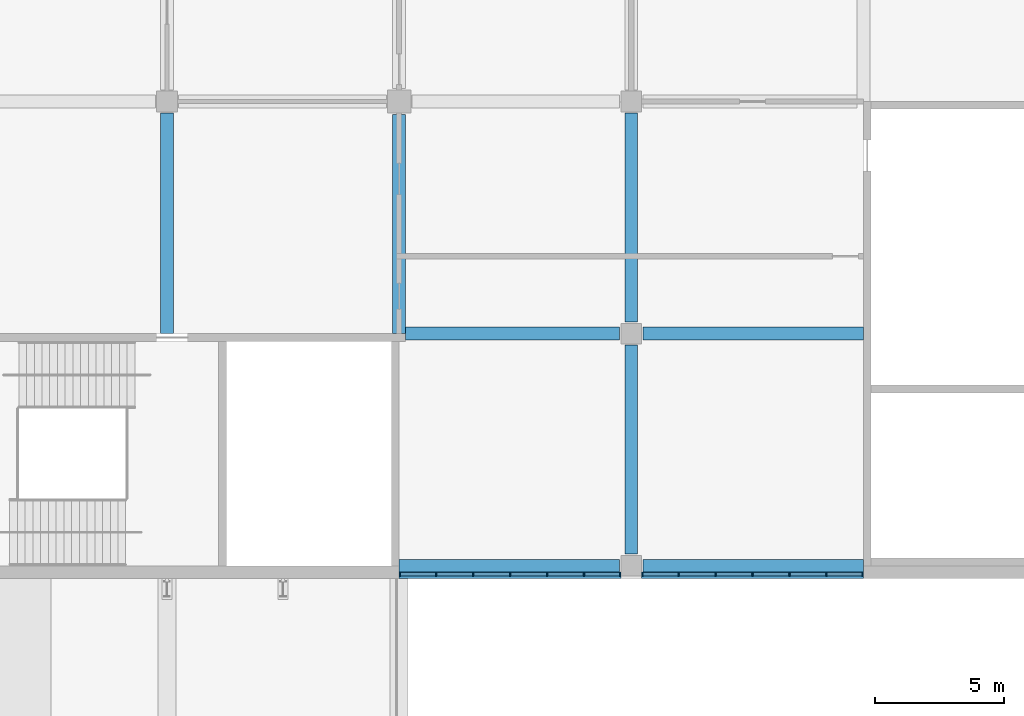
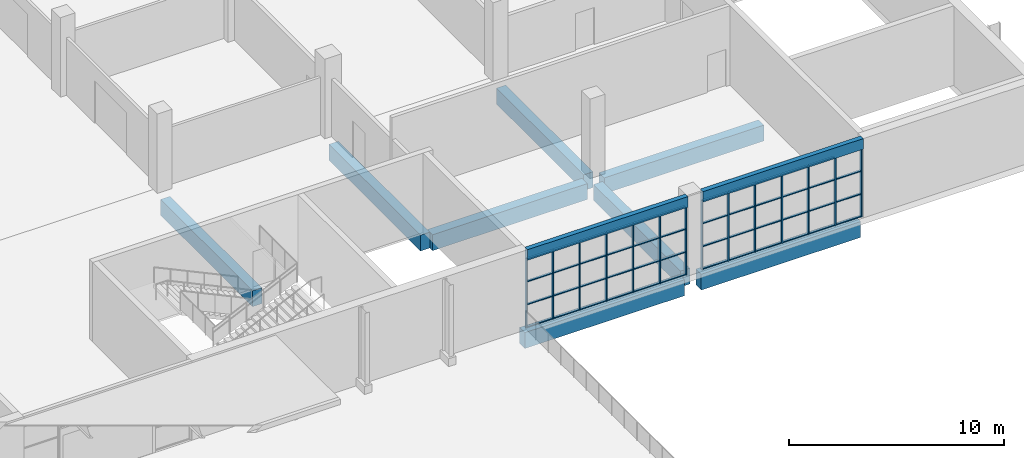
# One storey, part 49 of 168: 61 members, 10 beams, 2 elements without a shape of their own.
"""IFC4 building model written with IfcOpenShell, lengths in metres."""

from ifc_helpers import new_model, si_unit, direction, frame, origin, origin_2d, place, context, subcontext, project, spatial, rectangle, extrude, material, material_profile, profile_set, type_object, element, aggregate, save


model = new_model("IFC4")

# Units and contexts
model_context = context("Model", 3, precision=1e-05, world=origin(), true_north=direction((0.0, 1.0)))
body_context = subcontext(model_context, "Body", "Model", "MODEL_VIEW")
ifc_project = project(units=[si_unit("LENGTHUNIT", "METRE"), si_unit("AREAUNIT", "SQUARE_METRE"), si_unit("VOLUMEUNIT", "CUBIC_METRE"), si_unit("PLANEANGLEUNIT", "RADIAN"), si_unit("MASSUNIT", "GRAM", prefix="KILO")], contexts=[model_context])

# Site, building, storey
site_placement = place(None, origin())
site = spatial("IfcSite", under=ifc_project, at=site_placement, CompositionType="ELEMENT")
building_placement = place(site_placement, origin())
building = spatial("IfcBuilding", under=site, at=building_placement, Name="Silverbay Arena", CompositionType="ELEMENT")
storey_placement = place(building_placement, frame((0.0, 0.0, 7.0)))
storey = spatial("IfcBuildingStorey", under=building, at=storey_placement, Name="L01", CompositionType="ELEMENT", Elevation=7.0)

# Curtain wall, members
ifc_material_1 = material(Name="Aluminium framed curtain wall", Category="aluminium")
curtain_wall_type = type_object("IfcCurtainWallType", Name="Curtain wall 8600 x 3900", PredefinedType="NOTDEFINED", material=ifc_material_1)
curtain_wall_1_placement = place(storey_placement, origin())
curtain_wall_1 = element("IfcCurtainWall", 1, at=curtain_wall_1_placement, inside=storey, type_object=curtain_wall_type, Name="South curtain wall L01 bay 21", PredefinedType="NOTDEFINED")
ifc_material_2 = material(Name="Aluminium", Category="aluminium")
ifc_material_profile_1 = material_profile(ifc_material_2, rectangle(XDim=0.159912109375, YDim=0.06005859375, at=origin_2d()), Name="Mullion 60 x 160")
ifc_profile_set_1 = profile_set([ifc_material_profile_1], Name="Aluminium")
member_type_1 = type_object("IfcMemberType", Name="Mullion 60 x 160", PredefinedType="MULLION", material=ifc_profile_set_1)
member_1_placement = place(storey_placement, frame((207.030029296875, 17.669921875, 0.0), z_axis=(0.0, 0.0, 1.0), x_axis=(0.0, 1.0, 0.0)))
member_1 = element("IfcMember", 2, at=member_1_placement, type_object=member_type_1, Name="CW1 mullion 1", PredefinedType="MULLION", context=body_context, shape_type="SweptSolid", body=[
    extrude(rectangle(XDim=0.159912109375, YDim=0.06005859375, at=origin_2d()), origin(), (0.0, 0.0, 1.0), 3.89990234375),
])
member_2_placement = place(storey_placement, frame((208.433349609375, 17.669921875, 0.0), z_axis=(0.0, 0.0, 1.0), x_axis=(0.0, 1.0, 0.0)))
member_2 = element("IfcMember", 3, at=member_2_placement, type_object=member_type_1, Name="CW1 mullion 2", PredefinedType="MULLION", context=body_context, shape_type="SweptSolid", body=[
    extrude(rectangle(XDim=0.159912109375, YDim=0.06005859375, at=origin_2d()), origin(), (0.0, 0.0, 1.0), 3.89990234375),
])
member_3_placement = place(storey_placement, frame((209.86669921875, 17.669921875, 0.0), z_axis=(0.0, 0.0, 1.0), x_axis=(0.0, 1.0, 0.0)))
member_3 = element("IfcMember", 4, at=member_3_placement, type_object=member_type_1, Name="CW1 mullion 3", PredefinedType="MULLION", context=body_context, shape_type="SweptSolid", body=[
    extrude(rectangle(XDim=0.159912109375, YDim=0.06005859375, at=origin_2d()), origin(), (0.0, 0.0, 1.0), 3.89990234375),
])
member_4_placement = place(storey_placement, frame((211.300048828125, 17.669921875, 0.0), z_axis=(0.0, 0.0, 1.0), x_axis=(0.0, 1.0, 0.0)))
member_4 = element("IfcMember", 5, at=member_4_placement, type_object=member_type_1, Name="CW1 mullion 4", PredefinedType="MULLION", context=body_context, shape_type="SweptSolid", body=[
    extrude(rectangle(XDim=0.159912109375, YDim=0.06005859375, at=origin_2d()), origin(), (0.0, 0.0, 1.0), 3.89990234375),
])
member_5_placement = place(storey_placement, frame((212.7333984375, 17.669921875, 0.0), z_axis=(0.0, 0.0, 1.0), x_axis=(0.0, 1.0, 0.0)))
member_5 = element("IfcMember", 6, at=member_5_placement, type_object=member_type_1, Name="CW1 mullion 5", PredefinedType="MULLION", context=body_context, shape_type="SweptSolid", body=[
    extrude(rectangle(XDim=0.159912109375, YDim=0.06005859375, at=origin_2d()), origin(), (0.0, 0.0, 1.0), 3.89990234375),
])
member_6_placement = place(storey_placement, frame((214.166748046875, 17.669921875, 0.0), z_axis=(0.0, 0.0, 1.0), x_axis=(0.0, 1.0, 0.0)))
member_6 = element("IfcMember", 7, at=member_6_placement, type_object=member_type_1, Name="CW1 mullion 6", PredefinedType="MULLION", context=body_context, shape_type="SweptSolid", body=[
    extrude(rectangle(XDim=0.159912109375, YDim=0.06005859375, at=origin_2d()), origin(), (0.0, 0.0, 1.0), 3.89990234375),
])
member_7_placement = place(storey_placement, frame((215.570068359375, 17.669921875, 0.0), z_axis=(0.0, 0.0, 1.0), x_axis=(0.0, 1.0, 0.0)))
member_7 = element("IfcMember", 8, at=member_7_placement, type_object=member_type_1, Name="CW1 mullion 7", PredefinedType="MULLION", context=body_context, shape_type="SweptSolid", body=[
    extrude(rectangle(XDim=0.159912109375, YDim=0.06005859375, at=origin_2d()), origin(), (0.0, 0.0, 1.0), 3.89990234375),
])

curtain_wall_2_placement = place(storey_placement, origin())
curtain_wall_2 = element("IfcCurtainWall", 9, at=curtain_wall_2_placement, inside=storey, type_object=curtain_wall_type, Name="South curtain wall L01 bay 22", PredefinedType="NOTDEFINED")
member_8_placement = place(storey_placement, frame((216.429931640625, 17.669921875, 0.0), z_axis=(0.0, 0.0, 1.0), x_axis=(0.0, 1.0, 0.0)))
member_8 = element("IfcMember", 10, at=member_8_placement, type_object=member_type_1, Name="CW1 mullion 1", PredefinedType="MULLION", context=body_context, shape_type="SweptSolid", body=[
    extrude(rectangle(XDim=0.159912109375, YDim=0.06005859375, at=origin_2d()), origin(), (0.0, 0.0, 1.0), 3.89990234375),
])
member_9_placement = place(storey_placement, frame((217.833251953125, 17.669921875, 0.0), z_axis=(0.0, 0.0, 1.0), x_axis=(0.0, 1.0, 0.0)))
member_9 = element("IfcMember", 11, at=member_9_placement, type_object=member_type_1, Name="CW1 mullion 2", PredefinedType="MULLION", context=body_context, shape_type="SweptSolid", body=[
    extrude(rectangle(XDim=0.159912109375, YDim=0.06005859375, at=origin_2d()), origin(), (0.0, 0.0, 1.0), 3.89990234375),
])
member_10_placement = place(storey_placement, frame((219.2666015625, 17.669921875, 0.0), z_axis=(0.0, 0.0, 1.0), x_axis=(0.0, 1.0, 0.0)))
member_10 = element("IfcMember", 12, at=member_10_placement, type_object=member_type_1, Name="CW1 mullion 3", PredefinedType="MULLION", context=body_context, shape_type="SweptSolid", body=[
    extrude(rectangle(XDim=0.159912109375, YDim=0.06005859375, at=origin_2d()), origin(), (0.0, 0.0, 1.0), 3.89990234375),
])
member_11_placement = place(storey_placement, frame((220.699951171875, 17.669921875, 0.0), z_axis=(0.0, 0.0, 1.0), x_axis=(0.0, 1.0, 0.0)))
member_11 = element("IfcMember", 13, at=member_11_placement, type_object=member_type_1, Name="CW1 mullion 4", PredefinedType="MULLION", context=body_context, shape_type="SweptSolid", body=[
    extrude(rectangle(XDim=0.159912109375, YDim=0.06005859375, at=origin_2d()), origin(), (0.0, 0.0, 1.0), 3.89990234375),
])
member_12_placement = place(storey_placement, frame((222.13330078125, 17.669921875, 0.0), z_axis=(0.0, 0.0, 1.0), x_axis=(0.0, 1.0, 0.0)))
member_12 = element("IfcMember", 14, at=member_12_placement, type_object=member_type_1, Name="CW1 mullion 5", PredefinedType="MULLION", context=body_context, shape_type="SweptSolid", body=[
    extrude(rectangle(XDim=0.159912109375, YDim=0.06005859375, at=origin_2d()), origin(), (0.0, 0.0, 1.0), 3.89990234375),
])
member_13_placement = place(storey_placement, frame((223.566650390625, 17.669921875, 0.0), z_axis=(0.0, 0.0, 1.0), x_axis=(0.0, 1.0, 0.0)))
member_13 = element("IfcMember", 15, at=member_13_placement, type_object=member_type_1, Name="CW1 mullion 6", PredefinedType="MULLION", context=body_context, shape_type="SweptSolid", body=[
    extrude(rectangle(XDim=0.159912109375, YDim=0.06005859375, at=origin_2d()), origin(), (0.0, 0.0, 1.0), 3.89990234375),
])
member_14_placement = place(storey_placement, frame((224.969970703125, 17.669921875, 0.0), z_axis=(0.0, 0.0, 1.0), x_axis=(0.0, 1.0, 0.0)))
member_14 = element("IfcMember", 16, at=member_14_placement, type_object=member_type_1, Name="CW1 mullion 7", PredefinedType="MULLION", context=body_context, shape_type="SweptSolid", body=[
    extrude(rectangle(XDim=0.159912109375, YDim=0.06005859375, at=origin_2d()), origin(), (0.0, 0.0, 1.0), 3.89990234375),
])

# Beams
ifc_material_3 = material(Name="Concrete Grade C45", Category="concrete")
ifc_material_profile_2 = material_profile(ifc_material_3, rectangle(XDim=0.5, YDim=0.89990234375, at=origin_2d()), Name="RC 500x900")
ifc_profile_set_2 = profile_set([ifc_material_profile_2], Name="Concrete Grade C45")
beam_type_1 = type_object("IfcBeamType", Name="RC beam 500x900", PredefinedType="BEAM", material=ifc_profile_set_2)
for number, where, z_axis, x_axis, name in (
    (17, (207.0, 18.0, -0.800048828125), (1.0, 0.0, 0.0), (0.0, 1.0, 0.0), "Floor beam L01 008"),
    (18, (216.449951171875, 18.0, -0.800048828125), (1.0, 0.0, 0.0), (0.0, 1.0, 0.0), "Floor beam L01 009"),
):
    element("IfcBeam", number, at=place(storey_placement, frame(where, z_axis=z_axis, x_axis=x_axis)), inside=storey, type_object=beam_type_1, Name=name, PredefinedType="BEAM", context=body_context, shape_type="SweptSolid", body=[
        extrude(rectangle(XDim=0.5, YDim=0.89990234375, at=origin_2d()), origin(), (0.0, 0.0, 1.0), 8.550048828125),
    ])
beam_1_placement = place(storey_placement, frame((207.25, 27.0, -0.800048828125), z_axis=(1.0, 0.0, 0.0), x_axis=(0.0, 1.0, 0.0)))
element("IfcBeam", 19, at=beam_1_placement, inside=storey, type_object=beam_type_1, Name="Floor beam L01 017", PredefinedType="BEAM", context=body_context, shape_type="SweptSolid", body=[
    extrude(rectangle(XDim=0.5, YDim=0.89990234375, at=origin_2d()), origin(), (0.0, 0.0, 1.0), 8.300048828125),
])
for number, where, z_axis, x_axis, name in (
    (20, (216.449951171875, 27.0, -0.800048828125), (1.0, 0.0, 0.0), (0.0, 1.0, 0.0), "Floor beam L01 018"),
    (21, (198.0, 27.0, -0.800048828125), (0.0, 1.0, 0.0), (-1.0, 0.0, 0.0), "Floor beam L01 315"),
):
    element("IfcBeam", number, at=place(storey_placement, frame(where, z_axis=z_axis, x_axis=x_axis)), inside=storey, type_object=beam_type_1, Name=name, PredefinedType="BEAM", context=body_context, shape_type="SweptSolid", body=[
        extrude(rectangle(XDim=0.5, YDim=0.89990234375, at=origin_2d()), origin(), (0.0, 0.0, 1.0), 8.550048828125),
    ])
beam_2_placement = place(storey_placement, frame((207.0, 27.0, -0.800048828125), z_axis=(0.0, 1.0, 0.0), x_axis=(-1.0, 0.0, 0.0)))
element("IfcBeam", 22, at=beam_2_placement, inside=storey, type_object=beam_type_1, Name="Floor beam L01 323", PredefinedType="BEAM", context=body_context, shape_type="SweptSolid", body=[
    extrude(rectangle(XDim=0.5, YDim=0.89990234375, at=origin_2d()), origin(), (0.0, 0.0, 1.0), 8.5),
])
for number, where, z_axis, x_axis, name in (
    (23, (216.0, 18.449951171875, -0.800048828125), (0.0, 1.0, 0.0), (-1.0, 0.0, 0.0), "Floor beam L01 331"),
    (24, (216.0, 27.449951171875, -0.800048828125), (0.0, 1.0, 0.0), (-1.0, 0.0, 0.0), "Floor beam L01 332"),
):
    element("IfcBeam", number, at=place(storey_placement, frame(where, z_axis=z_axis, x_axis=x_axis)), inside=storey, type_object=beam_type_1, Name=name, PredefinedType="BEAM", context=body_context, shape_type="SweptSolid", body=[
        extrude(rectangle(XDim=0.5, YDim=0.89990234375, at=origin_2d()), origin(), (0.0, 0.0, 1.0), 8.10009765625),
    ])
ifc_material_4 = material(Name="Concrete Grade C45", Category="concrete")
ifc_material_profile_3 = material_profile(ifc_material_4, rectangle(XDim=0.25, YDim=0.60009765625, at=origin_2d()), Name="RC 250x600")
ifc_profile_set_3 = profile_set([ifc_material_profile_3], Name="Concrete Grade C45")
beam_type_2 = type_object("IfcBeamType", Name="RC facade beam 250x600", PredefinedType="SPANDREL", material=ifc_profile_set_3)
for number, where, z_axis, x_axis, name in (
    (25, (207.0, 17.625, 4.199951171875), (1.0, 0.0, 0.0), (0.0, 1.0, 0.0), "Facade beam L01 south"),
    (26, (216.39990234375, 17.625, 4.199951171875), (1.0, 0.0, 0.0), (0.0, 1.0, 0.0), "Facade beam L01 south"),
):
    element("IfcBeam", number, at=place(storey_placement, frame(where, z_axis=z_axis, x_axis=x_axis)), inside=storey, type_object=beam_type_2, Name=name, PredefinedType="SPANDREL", context=body_context, shape_type="SweptSolid", body=[
        extrude(rectangle(XDim=0.25, YDim=0.60009765625, at=origin_2d()), origin(), (0.0, 0.0, 1.0), 8.60009765625),
    ])

# Member
ifc_material_5 = material(Name="Aluminium", Category="aluminium")
ifc_material_profile_4 = material_profile(ifc_material_5, rectangle(XDim=0.1201171875, YDim=0.050048828125, at=origin_2d()), Name="Transom 50 x 120")
ifc_profile_set_4 = profile_set([ifc_material_profile_4], Name="Aluminium")
member_type_2 = type_object("IfcMemberType", Name="Transom 50 x 120", PredefinedType="USERDEFINED", material=ifc_profile_set_4)
member_15_placement = place(storey_placement, frame((207.06005859375, 17.669921875, 0.02490234375), z_axis=(1.0, 0.0, 0.0), x_axis=(0.0, 1.0, 0.0)))
member_15 = element("IfcMember", 27, at=member_15_placement, type_object=member_type_2, Name="CW1 transom 1.1", ObjectType="TRANSOM", PredefinedType="USERDEFINED", context=body_context, shape_type="SweptSolid", body=[
    extrude(rectangle(XDim=0.1201171875, YDim=0.050048828125, at=origin_2d()), origin(), (0.0, 0.0, 1.0), 1.34326171875),
])

member_16_placement = place(storey_placement, frame((207.06005859375, 17.669921875, 1.300048828125), z_axis=(1.0, 0.0, 0.0), x_axis=(0.0, 1.0, 0.0)))
member_16 = element("IfcMember", 28, at=member_16_placement, type_object=member_type_2, Name="CW1 transom 1.2", ObjectType="TRANSOM", PredefinedType="USERDEFINED", context=body_context, shape_type="SweptSolid", body=[
    extrude(rectangle(XDim=0.1201171875, YDim=0.050048828125, at=origin_2d()), origin(), (0.0, 0.0, 1.0), 1.34326171875),
])

member_17_placement = place(storey_placement, frame((207.06005859375, 17.669921875, 2.60009765625), z_axis=(1.0, 0.0, 0.0), x_axis=(0.0, 1.0, 0.0)))
member_17 = element("IfcMember", 29, at=member_17_placement, type_object=member_type_2, Name="CW1 transom 1.3", ObjectType="TRANSOM", PredefinedType="USERDEFINED", context=body_context, shape_type="SweptSolid", body=[
    extrude(rectangle(XDim=0.1201171875, YDim=0.050048828125, at=origin_2d()), origin(), (0.0, 0.0, 1.0), 1.34326171875),
])

member_18_placement = place(storey_placement, frame((207.06005859375, 17.669921875, 3.875), z_axis=(1.0, 0.0, 0.0), x_axis=(0.0, 1.0, 0.0)))
member_18 = element("IfcMember", 30, at=member_18_placement, type_object=member_type_2, Name="CW1 transom 1.4", ObjectType="TRANSOM", PredefinedType="USERDEFINED", context=body_context, shape_type="SweptSolid", body=[
    extrude(rectangle(XDim=0.1201171875, YDim=0.050048828125, at=origin_2d()), origin(), (0.0, 0.0, 1.0), 1.34326171875),
])

member_19_placement = place(storey_placement, frame((208.46337890625, 17.669921875, 0.02490234375), z_axis=(1.0, 0.0, 0.0), x_axis=(0.0, 1.0, 0.0)))
member_19 = element("IfcMember", 31, at=member_19_placement, type_object=member_type_2, Name="CW1 transom 2.1", ObjectType="TRANSOM", PredefinedType="USERDEFINED", context=body_context, shape_type="SweptSolid", body=[
    extrude(rectangle(XDim=0.1201171875, YDim=0.050048828125, at=origin_2d()), origin(), (0.0, 0.0, 1.0), 1.373291015625),
])

member_20_placement = place(storey_placement, frame((208.46337890625, 17.669921875, 1.300048828125), z_axis=(1.0, 0.0, 0.0), x_axis=(0.0, 1.0, 0.0)))
member_20 = element("IfcMember", 32, at=member_20_placement, type_object=member_type_2, Name="CW1 transom 2.2", ObjectType="TRANSOM", PredefinedType="USERDEFINED", context=body_context, shape_type="SweptSolid", body=[
    extrude(rectangle(XDim=0.1201171875, YDim=0.050048828125, at=origin_2d()), origin(), (0.0, 0.0, 1.0), 1.373291015625),
])

member_21_placement = place(storey_placement, frame((208.46337890625, 17.669921875, 2.60009765625), z_axis=(1.0, 0.0, 0.0), x_axis=(0.0, 1.0, 0.0)))
member_21 = element("IfcMember", 33, at=member_21_placement, type_object=member_type_2, Name="CW1 transom 2.3", ObjectType="TRANSOM", PredefinedType="USERDEFINED", context=body_context, shape_type="SweptSolid", body=[
    extrude(rectangle(XDim=0.1201171875, YDim=0.050048828125, at=origin_2d()), origin(), (0.0, 0.0, 1.0), 1.373291015625),
])

member_22_placement = place(storey_placement, frame((208.46337890625, 17.669921875, 3.875), z_axis=(1.0, 0.0, 0.0), x_axis=(0.0, 1.0, 0.0)))
member_22 = element("IfcMember", 34, at=member_22_placement, type_object=member_type_2, Name="CW1 transom 2.4", ObjectType="TRANSOM", PredefinedType="USERDEFINED", context=body_context, shape_type="SweptSolid", body=[
    extrude(rectangle(XDim=0.1201171875, YDim=0.050048828125, at=origin_2d()), origin(), (0.0, 0.0, 1.0), 1.373291015625),
])

member_23_placement = place(storey_placement, frame((209.896728515625, 17.669921875, 0.02490234375), z_axis=(1.0, 0.0, 0.0), x_axis=(0.0, 1.0, 0.0)))
member_23 = element("IfcMember", 35, at=member_23_placement, type_object=member_type_2, Name="CW1 transom 3.1", ObjectType="TRANSOM", PredefinedType="USERDEFINED", context=body_context, shape_type="SweptSolid", body=[
    extrude(rectangle(XDim=0.1201171875, YDim=0.050048828125, at=origin_2d()), origin(), (0.0, 0.0, 1.0), 1.373291015625),
])

member_24_placement = place(storey_placement, frame((209.896728515625, 17.669921875, 1.300048828125), z_axis=(1.0, 0.0, 0.0), x_axis=(0.0, 1.0, 0.0)))
member_24 = element("IfcMember", 36, at=member_24_placement, type_object=member_type_2, Name="CW1 transom 3.2", ObjectType="TRANSOM", PredefinedType="USERDEFINED", context=body_context, shape_type="SweptSolid", body=[
    extrude(rectangle(XDim=0.1201171875, YDim=0.050048828125, at=origin_2d()), origin(), (0.0, 0.0, 1.0), 1.373291015625),
])

member_25_placement = place(storey_placement, frame((209.896728515625, 17.669921875, 2.60009765625), z_axis=(1.0, 0.0, 0.0), x_axis=(0.0, 1.0, 0.0)))
member_25 = element("IfcMember", 37, at=member_25_placement, type_object=member_type_2, Name="CW1 transom 3.3", ObjectType="TRANSOM", PredefinedType="USERDEFINED", context=body_context, shape_type="SweptSolid", body=[
    extrude(rectangle(XDim=0.1201171875, YDim=0.050048828125, at=origin_2d()), origin(), (0.0, 0.0, 1.0), 1.373291015625),
])

member_26_placement = place(storey_placement, frame((209.896728515625, 17.669921875, 3.875), z_axis=(1.0, 0.0, 0.0), x_axis=(0.0, 1.0, 0.0)))
member_26 = element("IfcMember", 38, at=member_26_placement, type_object=member_type_2, Name="CW1 transom 3.4", ObjectType="TRANSOM", PredefinedType="USERDEFINED", context=body_context, shape_type="SweptSolid", body=[
    extrude(rectangle(XDim=0.1201171875, YDim=0.050048828125, at=origin_2d()), origin(), (0.0, 0.0, 1.0), 1.373291015625),
])

member_27_placement = place(storey_placement, frame((211.330078125, 17.669921875, 0.02490234375), z_axis=(1.0, 0.0, 0.0), x_axis=(0.0, 1.0, 0.0)))
member_27 = element("IfcMember", 39, at=member_27_placement, type_object=member_type_2, Name="CW1 transom 4.1", ObjectType="TRANSOM", PredefinedType="USERDEFINED", context=body_context, shape_type="SweptSolid", body=[
    extrude(rectangle(XDim=0.1201171875, YDim=0.050048828125, at=origin_2d()), origin(), (0.0, 0.0, 1.0), 1.373291015625),
])

member_28_placement = place(storey_placement, frame((211.330078125, 17.669921875, 1.300048828125), z_axis=(1.0, 0.0, 0.0), x_axis=(0.0, 1.0, 0.0)))
member_28 = element("IfcMember", 40, at=member_28_placement, type_object=member_type_2, Name="CW1 transom 4.2", ObjectType="TRANSOM", PredefinedType="USERDEFINED", context=body_context, shape_type="SweptSolid", body=[
    extrude(rectangle(XDim=0.1201171875, YDim=0.050048828125, at=origin_2d()), origin(), (0.0, 0.0, 1.0), 1.373291015625),
])

member_29_placement = place(storey_placement, frame((211.330078125, 17.669921875, 2.60009765625), z_axis=(1.0, 0.0, 0.0), x_axis=(0.0, 1.0, 0.0)))
member_29 = element("IfcMember", 41, at=member_29_placement, type_object=member_type_2, Name="CW1 transom 4.3", ObjectType="TRANSOM", PredefinedType="USERDEFINED", context=body_context, shape_type="SweptSolid", body=[
    extrude(rectangle(XDim=0.1201171875, YDim=0.050048828125, at=origin_2d()), origin(), (0.0, 0.0, 1.0), 1.373291015625),
])

member_30_placement = place(storey_placement, frame((211.330078125, 17.669921875, 3.875), z_axis=(1.0, 0.0, 0.0), x_axis=(0.0, 1.0, 0.0)))
member_30 = element("IfcMember", 42, at=member_30_placement, type_object=member_type_2, Name="CW1 transom 4.4", ObjectType="TRANSOM", PredefinedType="USERDEFINED", context=body_context, shape_type="SweptSolid", body=[
    extrude(rectangle(XDim=0.1201171875, YDim=0.050048828125, at=origin_2d()), origin(), (0.0, 0.0, 1.0), 1.373291015625),
])

member_31_placement = place(storey_placement, frame((212.763427734375, 17.669921875, 0.02490234375), z_axis=(1.0, 0.0, 0.0), x_axis=(0.0, 1.0, 0.0)))
member_31 = element("IfcMember", 43, at=member_31_placement, type_object=member_type_2, Name="CW1 transom 5.1", ObjectType="TRANSOM", PredefinedType="USERDEFINED", context=body_context, shape_type="SweptSolid", body=[
    extrude(rectangle(XDim=0.1201171875, YDim=0.050048828125, at=origin_2d()), origin(), (0.0, 0.0, 1.0), 1.373291015625),
])

member_32_placement = place(storey_placement, frame((212.763427734375, 17.669921875, 1.300048828125), z_axis=(1.0, 0.0, 0.0), x_axis=(0.0, 1.0, 0.0)))
member_32 = element("IfcMember", 44, at=member_32_placement, type_object=member_type_2, Name="CW1 transom 5.2", ObjectType="TRANSOM", PredefinedType="USERDEFINED", context=body_context, shape_type="SweptSolid", body=[
    extrude(rectangle(XDim=0.1201171875, YDim=0.050048828125, at=origin_2d()), origin(), (0.0, 0.0, 1.0), 1.373291015625),
])

member_33_placement = place(storey_placement, frame((212.763427734375, 17.669921875, 2.60009765625), z_axis=(1.0, 0.0, 0.0), x_axis=(0.0, 1.0, 0.0)))
member_33 = element("IfcMember", 45, at=member_33_placement, type_object=member_type_2, Name="CW1 transom 5.3", ObjectType="TRANSOM", PredefinedType="USERDEFINED", context=body_context, shape_type="SweptSolid", body=[
    extrude(rectangle(XDim=0.1201171875, YDim=0.050048828125, at=origin_2d()), origin(), (0.0, 0.0, 1.0), 1.373291015625),
])

member_34_placement = place(storey_placement, frame((212.763427734375, 17.669921875, 3.875), z_axis=(1.0, 0.0, 0.0), x_axis=(0.0, 1.0, 0.0)))
member_34 = element("IfcMember", 46, at=member_34_placement, type_object=member_type_2, Name="CW1 transom 5.4", ObjectType="TRANSOM", PredefinedType="USERDEFINED", context=body_context, shape_type="SweptSolid", body=[
    extrude(rectangle(XDim=0.1201171875, YDim=0.050048828125, at=origin_2d()), origin(), (0.0, 0.0, 1.0), 1.373291015625),
])

member_35_placement = place(storey_placement, frame((214.19677734375, 17.669921875, 0.02490234375), z_axis=(1.0, 0.0, 0.0), x_axis=(0.0, 1.0, 0.0)))
member_35 = element("IfcMember", 47, at=member_35_placement, type_object=member_type_2, Name="CW1 transom 6.1", ObjectType="TRANSOM", PredefinedType="USERDEFINED", context=body_context, shape_type="SweptSolid", body=[
    extrude(rectangle(XDim=0.1201171875, YDim=0.050048828125, at=origin_2d()), origin(), (0.0, 0.0, 1.0), 1.34326171875),
])

member_36_placement = place(storey_placement, frame((214.19677734375, 17.669921875, 1.300048828125), z_axis=(1.0, 0.0, 0.0), x_axis=(0.0, 1.0, 0.0)))
member_36 = element("IfcMember", 48, at=member_36_placement, type_object=member_type_2, Name="CW1 transom 6.2", ObjectType="TRANSOM", PredefinedType="USERDEFINED", context=body_context, shape_type="SweptSolid", body=[
    extrude(rectangle(XDim=0.1201171875, YDim=0.050048828125, at=origin_2d()), origin(), (0.0, 0.0, 1.0), 1.34326171875),
])

member_37_placement = place(storey_placement, frame((214.19677734375, 17.669921875, 2.60009765625), z_axis=(1.0, 0.0, 0.0), x_axis=(0.0, 1.0, 0.0)))
member_37 = element("IfcMember", 49, at=member_37_placement, type_object=member_type_2, Name="CW1 transom 6.3", ObjectType="TRANSOM", PredefinedType="USERDEFINED", context=body_context, shape_type="SweptSolid", body=[
    extrude(rectangle(XDim=0.1201171875, YDim=0.050048828125, at=origin_2d()), origin(), (0.0, 0.0, 1.0), 1.34326171875),
])

member_38_placement = place(storey_placement, frame((214.19677734375, 17.669921875, 3.875), z_axis=(1.0, 0.0, 0.0), x_axis=(0.0, 1.0, 0.0)))
member_38 = element("IfcMember", 50, at=member_38_placement, type_object=member_type_2, Name="CW1 transom 6.4", ObjectType="TRANSOM", PredefinedType="USERDEFINED", context=body_context, shape_type="SweptSolid", body=[
    extrude(rectangle(XDim=0.1201171875, YDim=0.050048828125, at=origin_2d()), origin(), (0.0, 0.0, 1.0), 1.34326171875),
])

aggregate(curtain_wall_1, [member_1, member_2, member_3, member_4, member_5, member_6, member_7, member_15, member_16, member_17, member_18, member_19, member_20, member_21, member_22, member_23, member_24, member_25, member_26, member_27, member_28, member_29, member_30, member_31, member_32, member_33, member_34, member_35, member_36, member_37, member_38])

member_39_placement = place(storey_placement, frame((216.4599609375, 17.669921875, 0.02490234375), z_axis=(1.0, 0.0, 0.0), x_axis=(0.0, 1.0, 0.0)))
member_39 = element("IfcMember", 51, at=member_39_placement, type_object=member_type_2, Name="CW1 transom 1.1", ObjectType="TRANSOM", PredefinedType="USERDEFINED", context=body_context, shape_type="SweptSolid", body=[
    extrude(rectangle(XDim=0.1201171875, YDim=0.050048828125, at=origin_2d()), origin(), (0.0, 0.0, 1.0), 1.34326171875),
])

member_40_placement = place(storey_placement, frame((216.4599609375, 17.669921875, 1.300048828125), z_axis=(1.0, 0.0, 0.0), x_axis=(0.0, 1.0, 0.0)))
member_40 = element("IfcMember", 52, at=member_40_placement, type_object=member_type_2, Name="CW1 transom 1.2", ObjectType="TRANSOM", PredefinedType="USERDEFINED", context=body_context, shape_type="SweptSolid", body=[
    extrude(rectangle(XDim=0.1201171875, YDim=0.050048828125, at=origin_2d()), origin(), (0.0, 0.0, 1.0), 1.34326171875),
])

member_41_placement = place(storey_placement, frame((216.4599609375, 17.669921875, 2.60009765625), z_axis=(1.0, 0.0, 0.0), x_axis=(0.0, 1.0, 0.0)))
member_41 = element("IfcMember", 53, at=member_41_placement, type_object=member_type_2, Name="CW1 transom 1.3", ObjectType="TRANSOM", PredefinedType="USERDEFINED", context=body_context, shape_type="SweptSolid", body=[
    extrude(rectangle(XDim=0.1201171875, YDim=0.050048828125, at=origin_2d()), origin(), (0.0, 0.0, 1.0), 1.34326171875),
])

member_42_placement = place(storey_placement, frame((216.4599609375, 17.669921875, 3.875), z_axis=(1.0, 0.0, 0.0), x_axis=(0.0, 1.0, 0.0)))
member_42 = element("IfcMember", 54, at=member_42_placement, type_object=member_type_2, Name="CW1 transom 1.4", ObjectType="TRANSOM", PredefinedType="USERDEFINED", context=body_context, shape_type="SweptSolid", body=[
    extrude(rectangle(XDim=0.1201171875, YDim=0.050048828125, at=origin_2d()), origin(), (0.0, 0.0, 1.0), 1.34326171875),
])

member_43_placement = place(storey_placement, frame((217.86328125, 17.669921875, 0.02490234375), z_axis=(1.0, 0.0, 0.0), x_axis=(0.0, 1.0, 0.0)))
member_43 = element("IfcMember", 55, at=member_43_placement, type_object=member_type_2, Name="CW1 transom 2.1", ObjectType="TRANSOM", PredefinedType="USERDEFINED", context=body_context, shape_type="SweptSolid", body=[
    extrude(rectangle(XDim=0.1201171875, YDim=0.050048828125, at=origin_2d()), origin(), (0.0, 0.0, 1.0), 1.373291015625),
])

member_44_placement = place(storey_placement, frame((217.86328125, 17.669921875, 1.300048828125), z_axis=(1.0, 0.0, 0.0), x_axis=(0.0, 1.0, 0.0)))
member_44 = element("IfcMember", 56, at=member_44_placement, type_object=member_type_2, Name="CW1 transom 2.2", ObjectType="TRANSOM", PredefinedType="USERDEFINED", context=body_context, shape_type="SweptSolid", body=[
    extrude(rectangle(XDim=0.1201171875, YDim=0.050048828125, at=origin_2d()), origin(), (0.0, 0.0, 1.0), 1.373291015625),
])

member_45_placement = place(storey_placement, frame((217.86328125, 17.669921875, 2.60009765625), z_axis=(1.0, 0.0, 0.0), x_axis=(0.0, 1.0, 0.0)))
member_45 = element("IfcMember", 57, at=member_45_placement, type_object=member_type_2, Name="CW1 transom 2.3", ObjectType="TRANSOM", PredefinedType="USERDEFINED", context=body_context, shape_type="SweptSolid", body=[
    extrude(rectangle(XDim=0.1201171875, YDim=0.050048828125, at=origin_2d()), origin(), (0.0, 0.0, 1.0), 1.373291015625),
])

member_46_placement = place(storey_placement, frame((217.86328125, 17.669921875, 3.875), z_axis=(1.0, 0.0, 0.0), x_axis=(0.0, 1.0, 0.0)))
member_46 = element("IfcMember", 58, at=member_46_placement, type_object=member_type_2, Name="CW1 transom 2.4", ObjectType="TRANSOM", PredefinedType="USERDEFINED", context=body_context, shape_type="SweptSolid", body=[
    extrude(rectangle(XDim=0.1201171875, YDim=0.050048828125, at=origin_2d()), origin(), (0.0, 0.0, 1.0), 1.373291015625),
])

member_47_placement = place(storey_placement, frame((219.296630859375, 17.669921875, 0.02490234375), z_axis=(1.0, 0.0, 0.0), x_axis=(0.0, 1.0, 0.0)))
member_47 = element("IfcMember", 59, at=member_47_placement, type_object=member_type_2, Name="CW1 transom 3.1", ObjectType="TRANSOM", PredefinedType="USERDEFINED", context=body_context, shape_type="SweptSolid", body=[
    extrude(rectangle(XDim=0.1201171875, YDim=0.050048828125, at=origin_2d()), origin(), (0.0, 0.0, 1.0), 1.373291015625),
])

member_48_placement = place(storey_placement, frame((219.296630859375, 17.669921875, 1.300048828125), z_axis=(1.0, 0.0, 0.0), x_axis=(0.0, 1.0, 0.0)))
member_48 = element("IfcMember", 60, at=member_48_placement, type_object=member_type_2, Name="CW1 transom 3.2", ObjectType="TRANSOM", PredefinedType="USERDEFINED", context=body_context, shape_type="SweptSolid", body=[
    extrude(rectangle(XDim=0.1201171875, YDim=0.050048828125, at=origin_2d()), origin(), (0.0, 0.0, 1.0), 1.373291015625),
])

member_49_placement = place(storey_placement, frame((219.296630859375, 17.669921875, 2.60009765625), z_axis=(1.0, 0.0, 0.0), x_axis=(0.0, 1.0, 0.0)))
member_49 = element("IfcMember", 61, at=member_49_placement, type_object=member_type_2, Name="CW1 transom 3.3", ObjectType="TRANSOM", PredefinedType="USERDEFINED", context=body_context, shape_type="SweptSolid", body=[
    extrude(rectangle(XDim=0.1201171875, YDim=0.050048828125, at=origin_2d()), origin(), (0.0, 0.0, 1.0), 1.373291015625),
])

member_50_placement = place(storey_placement, frame((219.296630859375, 17.669921875, 3.875), z_axis=(1.0, 0.0, 0.0), x_axis=(0.0, 1.0, 0.0)))
member_50 = element("IfcMember", 62, at=member_50_placement, type_object=member_type_2, Name="CW1 transom 3.4", ObjectType="TRANSOM", PredefinedType="USERDEFINED", context=body_context, shape_type="SweptSolid", body=[
    extrude(rectangle(XDim=0.1201171875, YDim=0.050048828125, at=origin_2d()), origin(), (0.0, 0.0, 1.0), 1.373291015625),
])

member_51_placement = place(storey_placement, frame((220.72998046875, 17.669921875, 0.02490234375), z_axis=(1.0, 0.0, 0.0), x_axis=(0.0, 1.0, 0.0)))
member_51 = element("IfcMember", 63, at=member_51_placement, type_object=member_type_2, Name="CW1 transom 4.1", ObjectType="TRANSOM", PredefinedType="USERDEFINED", context=body_context, shape_type="SweptSolid", body=[
    extrude(rectangle(XDim=0.1201171875, YDim=0.050048828125, at=origin_2d()), origin(), (0.0, 0.0, 1.0), 1.373291015625),
])

member_52_placement = place(storey_placement, frame((220.72998046875, 17.669921875, 1.300048828125), z_axis=(1.0, 0.0, 0.0), x_axis=(0.0, 1.0, 0.0)))
member_52 = element("IfcMember", 64, at=member_52_placement, type_object=member_type_2, Name="CW1 transom 4.2", ObjectType="TRANSOM", PredefinedType="USERDEFINED", context=body_context, shape_type="SweptSolid", body=[
    extrude(rectangle(XDim=0.1201171875, YDim=0.050048828125, at=origin_2d()), origin(), (0.0, 0.0, 1.0), 1.373291015625),
])

member_53_placement = place(storey_placement, frame((220.72998046875, 17.669921875, 2.60009765625), z_axis=(1.0, 0.0, 0.0), x_axis=(0.0, 1.0, 0.0)))
member_53 = element("IfcMember", 65, at=member_53_placement, type_object=member_type_2, Name="CW1 transom 4.3", ObjectType="TRANSOM", PredefinedType="USERDEFINED", context=body_context, shape_type="SweptSolid", body=[
    extrude(rectangle(XDim=0.1201171875, YDim=0.050048828125, at=origin_2d()), origin(), (0.0, 0.0, 1.0), 1.373291015625),
])

member_54_placement = place(storey_placement, frame((220.72998046875, 17.669921875, 3.875), z_axis=(1.0, 0.0, 0.0), x_axis=(0.0, 1.0, 0.0)))
member_54 = element("IfcMember", 66, at=member_54_placement, type_object=member_type_2, Name="CW1 transom 4.4", ObjectType="TRANSOM", PredefinedType="USERDEFINED", context=body_context, shape_type="SweptSolid", body=[
    extrude(rectangle(XDim=0.1201171875, YDim=0.050048828125, at=origin_2d()), origin(), (0.0, 0.0, 1.0), 1.373291015625),
])

member_55_placement = place(storey_placement, frame((222.163330078125, 17.669921875, 0.02490234375), z_axis=(1.0, 0.0, 0.0), x_axis=(0.0, 1.0, 0.0)))
member_55 = element("IfcMember", 67, at=member_55_placement, type_object=member_type_2, Name="CW1 transom 5.1", ObjectType="TRANSOM", PredefinedType="USERDEFINED", context=body_context, shape_type="SweptSolid", body=[
    extrude(rectangle(XDim=0.1201171875, YDim=0.050048828125, at=origin_2d()), origin(), (0.0, 0.0, 1.0), 1.373291015625),
])

member_56_placement = place(storey_placement, frame((222.163330078125, 17.669921875, 1.300048828125), z_axis=(1.0, 0.0, 0.0), x_axis=(0.0, 1.0, 0.0)))
member_56 = element("IfcMember", 68, at=member_56_placement, type_object=member_type_2, Name="CW1 transom 5.2", ObjectType="TRANSOM", PredefinedType="USERDEFINED", context=body_context, shape_type="SweptSolid", body=[
    extrude(rectangle(XDim=0.1201171875, YDim=0.050048828125, at=origin_2d()), origin(), (0.0, 0.0, 1.0), 1.373291015625),
])

member_57_placement = place(storey_placement, frame((222.163330078125, 17.669921875, 2.60009765625), z_axis=(1.0, 0.0, 0.0), x_axis=(0.0, 1.0, 0.0)))
member_57 = element("IfcMember", 69, at=member_57_placement, type_object=member_type_2, Name="CW1 transom 5.3", ObjectType="TRANSOM", PredefinedType="USERDEFINED", context=body_context, shape_type="SweptSolid", body=[
    extrude(rectangle(XDim=0.1201171875, YDim=0.050048828125, at=origin_2d()), origin(), (0.0, 0.0, 1.0), 1.373291015625),
])

member_58_placement = place(storey_placement, frame((222.163330078125, 17.669921875, 3.875), z_axis=(1.0, 0.0, 0.0), x_axis=(0.0, 1.0, 0.0)))
member_58 = element("IfcMember", 70, at=member_58_placement, type_object=member_type_2, Name="CW1 transom 5.4", ObjectType="TRANSOM", PredefinedType="USERDEFINED", context=body_context, shape_type="SweptSolid", body=[
    extrude(rectangle(XDim=0.1201171875, YDim=0.050048828125, at=origin_2d()), origin(), (0.0, 0.0, 1.0), 1.373291015625),
])

member_59_placement = place(storey_placement, frame((223.5966796875, 17.669921875, 0.02490234375), z_axis=(1.0, 0.0, 0.0), x_axis=(0.0, 1.0, 0.0)))
member_59 = element("IfcMember", 71, at=member_59_placement, type_object=member_type_2, Name="CW1 transom 6.1", ObjectType="TRANSOM", PredefinedType="USERDEFINED", context=body_context, shape_type="SweptSolid", body=[
    extrude(rectangle(XDim=0.1201171875, YDim=0.050048828125, at=origin_2d()), origin(), (0.0, 0.0, 1.0), 1.34326171875),
])

member_60_placement = place(storey_placement, frame((223.5966796875, 17.669921875, 1.300048828125), z_axis=(1.0, 0.0, 0.0), x_axis=(0.0, 1.0, 0.0)))
member_60 = element("IfcMember", 72, at=member_60_placement, type_object=member_type_2, Name="CW1 transom 6.2", ObjectType="TRANSOM", PredefinedType="USERDEFINED", context=body_context, shape_type="SweptSolid", body=[
    extrude(rectangle(XDim=0.1201171875, YDim=0.050048828125, at=origin_2d()), origin(), (0.0, 0.0, 1.0), 1.34326171875),
])

member_61_placement = place(storey_placement, frame((223.5966796875, 17.669921875, 2.60009765625), z_axis=(1.0, 0.0, 0.0), x_axis=(0.0, 1.0, 0.0)))
member_61 = element("IfcMember", 73, at=member_61_placement, type_object=member_type_2, Name="CW1 transom 6.3", ObjectType="TRANSOM", PredefinedType="USERDEFINED", context=body_context, shape_type="SweptSolid", body=[
    extrude(rectangle(XDim=0.1201171875, YDim=0.050048828125, at=origin_2d()), origin(), (0.0, 0.0, 1.0), 1.34326171875),
])

aggregate(curtain_wall_2, [member_8, member_9, member_10, member_11, member_12, member_13, member_14, member_39, member_40, member_41, member_42, member_43, member_44, member_45, member_46, member_47, member_48, member_49, member_50, member_51, member_52, member_53, member_54, member_55, member_56, member_57, member_58, member_59, member_60, member_61])

save(model, "model.ifc")
